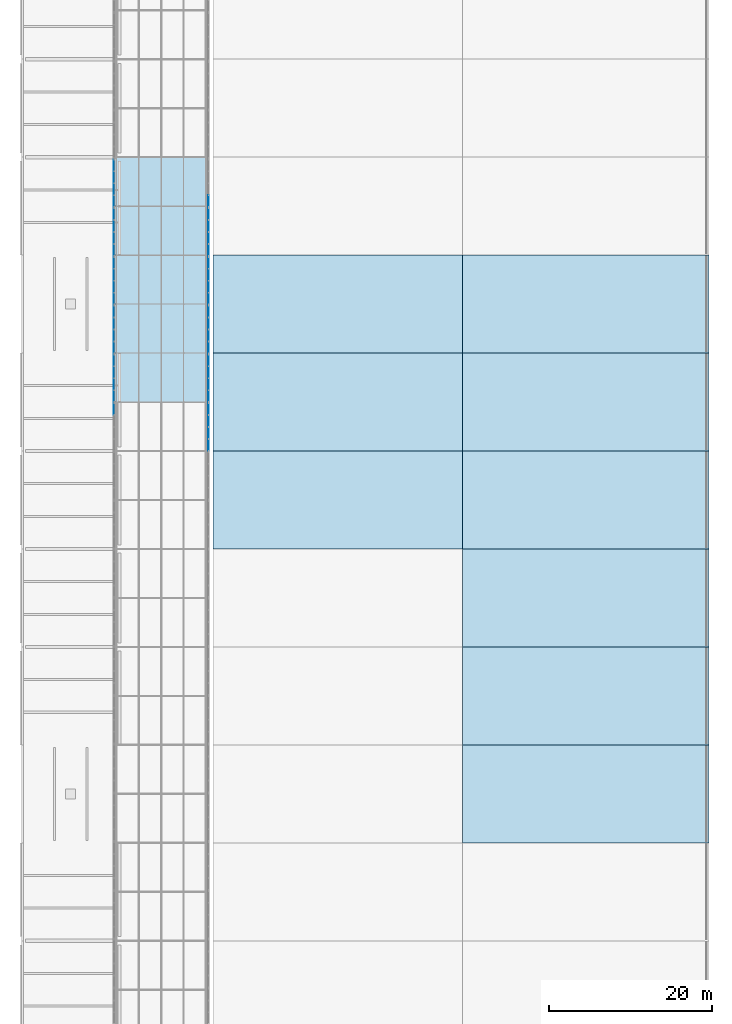
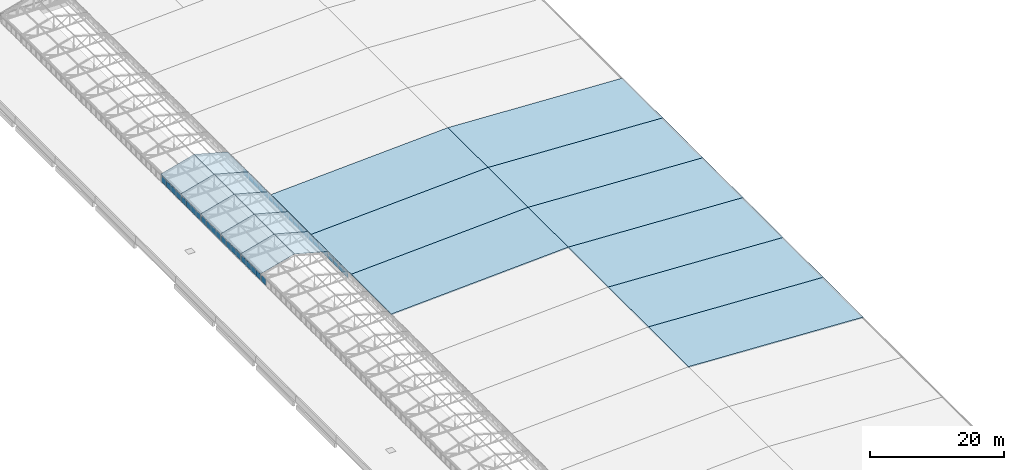
# One storey, part 82 of 94: 42 plates, 19 slabs, 12 elements without a shape of their own.
"""IFC4 building model written with IfcOpenShell, lengths in metres."""

from ifc_helpers import new_model, si_unit, direction, frame, origin, origin_2d, place, context, subcontext, project, spatial, polyline, rectangle, outline, extrude, material, layer, layer_set, type_object, element, aggregate, save


model = new_model("IFC4")

# Units and contexts
model_context = context("Model", 3, precision=1e-05, world=origin(), true_north=direction((0.0, 1.0)))
body_context = subcontext(model_context, "Body", "Model", "MODEL_VIEW")
ifc_project = project(units=[si_unit("LENGTHUNIT", "METRE"), si_unit("AREAUNIT", "SQUARE_METRE"), si_unit("VOLUMEUNIT", "CUBIC_METRE"), si_unit("PLANEANGLEUNIT", "RADIAN"), si_unit("MASSUNIT", "GRAM", prefix="KILO")], contexts=[model_context])

# Site, building, storey
site_placement = place(None, origin())
site = spatial("IfcSite", under=ifc_project, at=site_placement, CompositionType="ELEMENT")
building_placement = place(site_placement, origin())
building = spatial("IfcBuilding", under=site, at=building_placement, Name="Lilac Gate Convention Centre", CompositionType="ELEMENT")
storey_placement = place(building_placement, frame((0.0, 0.0, 21.0)))
storey = spatial("IfcBuildingStorey", under=building, at=storey_placement, Name="L04", CompositionType="ELEMENT", Elevation=21.0)

# Curtain wall, plate
ifc_material_1 = material(Name="Aluminium framed double glazing", Category="aluminium")
ifc_layer_1 = layer(ifc_material_1, 0.199951171875)
ifc_layer_set_1 = layer_set([ifc_layer_1], Name="Aluminium framed double glazing")
curtain_wall_type = type_object("IfcCurtainWallType", Name="Unitised curtain wall 1500", PredefinedType="NOTDEFINED", material=ifc_layer_set_1)
curtain_wall_1_placement = place(storey_placement, origin())
curtain_wall_1 = element("IfcCurtainWall", 1, at=curtain_wall_1_placement, inside=storey, type_object=curtain_wall_type, Name="Lantern clerestory W 19", PredefinedType="NOTDEFINED")
ifc_material_2 = material(Name="Double glazed unit low emissivity")
ifc_layer_2 = layer(ifc_material_2, 0.028076171875)
ifc_layer_set_2 = layer_set([ifc_layer_2], Name="Double glazed unit low emissivity")
plate_type = type_object("IfcPlateType", Name="Curtain wall glass panel 28", PredefinedType="CURTAIN_PANEL", material=ifc_layer_set_2)
plate_1_placement = place(storey_placement, frame((17.300048828125, 143.125732421875, 0.06005859375), z_axis=(0.0, 0.0, 1.0), x_axis=(0.0, 1.0, 0.0)))
plate_1 = element("IfcPlate", 2, at=plate_1_placement, type_object=plate_type, Name="CW panel 4.1", PredefinedType="CURTAIN_PANEL", context=body_context, shape_type="SweptSolid", body=[
    extrude(rectangle(XDim=1.378662109375, YDim=0.028076171875, at=origin_2d()), origin(), (0.0, 0.0, 1.0), 1.152099609375),
])
aggregate(curtain_wall_1, [plate_1])

# Curtain wall, plates
curtain_wall_2_placement = place(storey_placement, origin())
curtain_wall_2 = element("IfcCurtainWall", 3, at=curtain_wall_2_placement, inside=storey, type_object=curtain_wall_type, Name="Lantern clerestory W 20", PredefinedType="NOTDEFINED")
plate_2_placement = place(storey_placement, frame((17.300048828125, 144.724365234375, 0.06005859375), z_axis=(0.0, 0.0, 1.0), x_axis=(0.0, 1.0, 0.0)))
plate_2 = element("IfcPlate", 4, at=plate_2_placement, type_object=plate_type, Name="CW panel 1.1", PredefinedType="CURTAIN_PANEL", context=body_context, shape_type="SweptSolid", body=[
    extrude(rectangle(XDim=1.378662109375, YDim=0.028076171875, at=origin_2d()), origin(), (0.0, 0.0, 1.0), 1.152099609375),
])
plate_3_placement = place(storey_placement, frame((17.300048828125, 146.17822265625, 0.06005859375), z_axis=(0.0, 0.0, 1.0), x_axis=(0.0, 1.0, 0.0)))
plate_3 = element("IfcPlate", 5, at=plate_3_placement, type_object=plate_type, Name="CW panel 2.1", PredefinedType="CURTAIN_PANEL", context=body_context, shape_type="SweptSolid", body=[
    extrude(rectangle(XDim=1.40869140625, YDim=0.028076171875, at=origin_2d()), origin(), (0.0, 0.0, 1.0), 1.152099609375),
])
plate_4_placement = place(storey_placement, frame((17.300048828125, 147.64697265625, 0.06005859375), z_axis=(0.0, 0.0, 1.0), x_axis=(0.0, 1.0, 0.0)))
plate_4 = element("IfcPlate", 6, at=plate_4_placement, type_object=plate_type, Name="CW panel 3.1", PredefinedType="CURTAIN_PANEL", context=body_context, shape_type="SweptSolid", body=[
    extrude(rectangle(XDim=1.40869140625, YDim=0.028076171875, at=origin_2d()), origin(), (0.0, 0.0, 1.0), 1.152099609375),
])
plate_5_placement = place(storey_placement, frame((17.300048828125, 149.100830078125, 0.06005859375), z_axis=(0.0, 0.0, 1.0), x_axis=(0.0, 1.0, 0.0)))
plate_5 = element("IfcPlate", 7, at=plate_5_placement, type_object=plate_type, Name="CW panel 4.1", PredefinedType="CURTAIN_PANEL", context=body_context, shape_type="SweptSolid", body=[
    extrude(rectangle(XDim=1.378662109375, YDim=0.028076171875, at=origin_2d()), origin(), (0.0, 0.0, 1.0), 1.152099609375),
])
aggregate(curtain_wall_2, [plate_2, plate_3, plate_4, plate_5])

curtain_wall_3_placement = place(storey_placement, origin())
curtain_wall_3 = element("IfcCurtainWall", 8, at=curtain_wall_3_placement, inside=storey, type_object=curtain_wall_type, Name="Lantern clerestory W 21", PredefinedType="NOTDEFINED")
plate_6_placement = place(storey_placement, frame((17.300048828125, 150.69921875, 0.06005859375), z_axis=(0.0, 0.0, 1.0), x_axis=(0.0, 1.0, 0.0)))
plate_6 = element("IfcPlate", 9, at=plate_6_placement, type_object=plate_type, Name="CW panel 1.1", PredefinedType="CURTAIN_PANEL", context=body_context, shape_type="SweptSolid", body=[
    extrude(rectangle(XDim=1.378662109375, YDim=0.028076171875, at=origin_2d()), origin(), (0.0, 0.0, 1.0), 1.152099609375),
])
plate_7_placement = place(storey_placement, frame((17.300048828125, 152.153076171875, 0.06005859375), z_axis=(0.0, 0.0, 1.0), x_axis=(0.0, 1.0, 0.0)))
plate_7 = element("IfcPlate", 10, at=plate_7_placement, type_object=plate_type, Name="CW panel 2.1", PredefinedType="CURTAIN_PANEL", context=body_context, shape_type="SweptSolid", body=[
    extrude(rectangle(XDim=1.40869140625, YDim=0.028076171875, at=origin_2d()), origin(), (0.0, 0.0, 1.0), 1.152099609375),
])
plate_8_placement = place(storey_placement, frame((17.300048828125, 153.621826171875, 0.06005859375), z_axis=(0.0, 0.0, 1.0), x_axis=(0.0, 1.0, 0.0)))
plate_8 = element("IfcPlate", 11, at=plate_8_placement, type_object=plate_type, Name="CW panel 3.1", PredefinedType="CURTAIN_PANEL", context=body_context, shape_type="SweptSolid", body=[
    extrude(rectangle(XDim=1.40869140625, YDim=0.028076171875, at=origin_2d()), origin(), (0.0, 0.0, 1.0), 1.152099609375),
])
plate_9_placement = place(storey_placement, frame((17.300048828125, 155.07568359375, 0.06005859375), z_axis=(0.0, 0.0, 1.0), x_axis=(0.0, 1.0, 0.0)))
plate_9 = element("IfcPlate", 12, at=plate_9_placement, type_object=plate_type, Name="CW panel 4.1", PredefinedType="CURTAIN_PANEL", context=body_context, shape_type="SweptSolid", body=[
    extrude(rectangle(XDim=1.378662109375, YDim=0.028076171875, at=origin_2d()), origin(), (0.0, 0.0, 1.0), 1.152099609375),
])
aggregate(curtain_wall_3, [plate_6, plate_7, plate_8, plate_9])

curtain_wall_4_placement = place(storey_placement, origin())
curtain_wall_4 = element("IfcCurtainWall", 13, at=curtain_wall_4_placement, inside=storey, type_object=curtain_wall_type, Name="Lantern clerestory W 22", PredefinedType="NOTDEFINED")
plate_10_placement = place(storey_placement, frame((17.300048828125, 156.67431640625, 0.06005859375), z_axis=(0.0, 0.0, 1.0), x_axis=(0.0, 1.0, 0.0)))
plate_10 = element("IfcPlate", 14, at=plate_10_placement, type_object=plate_type, Name="CW panel 1.1", PredefinedType="CURTAIN_PANEL", context=body_context, shape_type="SweptSolid", body=[
    extrude(rectangle(XDim=1.378662109375, YDim=0.028076171875, at=origin_2d()), origin(), (0.0, 0.0, 1.0), 1.152099609375),
])
plate_11_placement = place(storey_placement, frame((17.300048828125, 158.128173828125, 0.06005859375), z_axis=(0.0, 0.0, 1.0), x_axis=(0.0, 1.0, 0.0)))
plate_11 = element("IfcPlate", 15, at=plate_11_placement, type_object=plate_type, Name="CW panel 2.1", PredefinedType="CURTAIN_PANEL", context=body_context, shape_type="SweptSolid", body=[
    extrude(rectangle(XDim=1.40869140625, YDim=0.028076171875, at=origin_2d()), origin(), (0.0, 0.0, 1.0), 1.152099609375),
])
plate_12_placement = place(storey_placement, frame((17.300048828125, 159.596923828125, 0.06005859375), z_axis=(0.0, 0.0, 1.0), x_axis=(0.0, 1.0, 0.0)))
plate_12 = element("IfcPlate", 16, at=plate_12_placement, type_object=plate_type, Name="CW panel 3.1", PredefinedType="CURTAIN_PANEL", context=body_context, shape_type="SweptSolid", body=[
    extrude(rectangle(XDim=1.40869140625, YDim=0.028076171875, at=origin_2d()), origin(), (0.0, 0.0, 1.0), 1.152099609375),
])
plate_13_placement = place(storey_placement, frame((17.300048828125, 161.05078125, 0.06005859375), z_axis=(0.0, 0.0, 1.0), x_axis=(0.0, 1.0, 0.0)))
plate_13 = element("IfcPlate", 17, at=plate_13_placement, type_object=plate_type, Name="CW panel 4.1", PredefinedType="CURTAIN_PANEL", context=body_context, shape_type="SweptSolid", body=[
    extrude(rectangle(XDim=1.378662109375, YDim=0.028076171875, at=origin_2d()), origin(), (0.0, 0.0, 1.0), 1.152099609375),
])
aggregate(curtain_wall_4, [plate_10, plate_11, plate_12, plate_13])

curtain_wall_5_placement = place(storey_placement, origin())
curtain_wall_5 = element("IfcCurtainWall", 18, at=curtain_wall_5_placement, inside=storey, type_object=curtain_wall_type, Name="Lantern clerestory W 23", PredefinedType="NOTDEFINED")
plate_14_placement = place(storey_placement, frame((17.300048828125, 162.649169921875, 0.06005859375), z_axis=(0.0, 0.0, 1.0), x_axis=(0.0, 1.0, 0.0)))
plate_14 = element("IfcPlate", 19, at=plate_14_placement, type_object=plate_type, Name="CW panel 1.1", PredefinedType="CURTAIN_PANEL", context=body_context, shape_type="SweptSolid", body=[
    extrude(rectangle(XDim=1.378662109375, YDim=0.028076171875, at=origin_2d()), origin(), (0.0, 0.0, 1.0), 1.152099609375),
])
plate_15_placement = place(storey_placement, frame((17.300048828125, 164.10302734375, 0.06005859375), z_axis=(0.0, 0.0, 1.0), x_axis=(0.0, 1.0, 0.0)))
plate_15 = element("IfcPlate", 20, at=plate_15_placement, type_object=plate_type, Name="CW panel 2.1", PredefinedType="CURTAIN_PANEL", context=body_context, shape_type="SweptSolid", body=[
    extrude(rectangle(XDim=1.40869140625, YDim=0.028076171875, at=origin_2d()), origin(), (0.0, 0.0, 1.0), 1.152099609375),
])
plate_16_placement = place(storey_placement, frame((17.300048828125, 165.57177734375, 0.06005859375), z_axis=(0.0, 0.0, 1.0), x_axis=(0.0, 1.0, 0.0)))
plate_16 = element("IfcPlate", 21, at=plate_16_placement, type_object=plate_type, Name="CW panel 3.1", PredefinedType="CURTAIN_PANEL", context=body_context, shape_type="SweptSolid", body=[
    extrude(rectangle(XDim=1.40869140625, YDim=0.028076171875, at=origin_2d()), origin(), (0.0, 0.0, 1.0), 1.152099609375),
])
plate_17_placement = place(storey_placement, frame((17.300048828125, 167.025634765625, 0.06005859375), z_axis=(0.0, 0.0, 1.0), x_axis=(0.0, 1.0, 0.0)))
plate_17 = element("IfcPlate", 22, at=plate_17_placement, type_object=plate_type, Name="CW panel 4.1", PredefinedType="CURTAIN_PANEL", context=body_context, shape_type="SweptSolid", body=[
    extrude(rectangle(XDim=1.378662109375, YDim=0.028076171875, at=origin_2d()), origin(), (0.0, 0.0, 1.0), 1.152099609375),
])
aggregate(curtain_wall_5, [plate_14, plate_15, plate_16, plate_17])

curtain_wall_6_placement = place(storey_placement, origin())
curtain_wall_6 = element("IfcCurtainWall", 23, at=curtain_wall_6_placement, inside=storey, type_object=curtain_wall_type, Name="Lantern clerestory W 24", PredefinedType="NOTDEFINED")
plate_18_placement = place(storey_placement, frame((17.300048828125, 168.624267578125, 0.06005859375), z_axis=(0.0, 0.0, 1.0), x_axis=(0.0, 1.0, 0.0)))
plate_18 = element("IfcPlate", 24, at=plate_18_placement, type_object=plate_type, Name="CW panel 1.1", PredefinedType="CURTAIN_PANEL", context=body_context, shape_type="SweptSolid", body=[
    extrude(rectangle(XDim=1.378662109375, YDim=0.028076171875, at=origin_2d()), origin(), (0.0, 0.0, 1.0), 1.152099609375),
])
plate_19_placement = place(storey_placement, frame((17.300048828125, 170.078125, 0.06005859375), z_axis=(0.0, 0.0, 1.0), x_axis=(0.0, 1.0, 0.0)))
plate_19 = element("IfcPlate", 25, at=plate_19_placement, type_object=plate_type, Name="CW panel 2.1", PredefinedType="CURTAIN_PANEL", context=body_context, shape_type="SweptSolid", body=[
    extrude(rectangle(XDim=1.40869140625, YDim=0.028076171875, at=origin_2d()), origin(), (0.0, 0.0, 1.0), 1.152099609375),
])
plate_20_placement = place(storey_placement, frame((17.300048828125, 171.546875, 0.06005859375), z_axis=(0.0, 0.0, 1.0), x_axis=(0.0, 1.0, 0.0)))
plate_20 = element("IfcPlate", 26, at=plate_20_placement, type_object=plate_type, Name="CW panel 3.1", PredefinedType="CURTAIN_PANEL", context=body_context, shape_type="SweptSolid", body=[
    extrude(rectangle(XDim=1.40869140625, YDim=0.028076171875, at=origin_2d()), origin(), (0.0, 0.0, 1.0), 1.152099609375),
])
plate_21_placement = place(storey_placement, frame((17.300048828125, 173.000732421875, 0.06005859375), z_axis=(0.0, 0.0, 1.0), x_axis=(0.0, 1.0, 0.0)))
plate_21 = element("IfcPlate", 27, at=plate_21_placement, type_object=plate_type, Name="CW panel 4.1", PredefinedType="CURTAIN_PANEL", context=body_context, shape_type="SweptSolid", body=[
    extrude(rectangle(XDim=1.378662109375, YDim=0.028076171875, at=origin_2d()), origin(), (0.0, 0.0, 1.0), 1.152099609375),
])
aggregate(curtain_wall_6, [plate_18, plate_19, plate_20, plate_21])

curtain_wall_7_placement = place(storey_placement, origin())
curtain_wall_7 = element("IfcCurtainWall", 28, at=curtain_wall_7_placement, inside=storey, type_object=curtain_wall_type, Name="Lantern clerestory E 19", PredefinedType="NOTDEFINED")
plate_22_placement = place(storey_placement, frame((28.89990234375, 138.749267578125, 0.06005859375), z_axis=(0.0, 0.0, 1.0), x_axis=(0.0, 1.0, 0.0)))
plate_22 = element("IfcPlate", 29, at=plate_22_placement, type_object=plate_type, Name="CW panel 1.1", PredefinedType="CURTAIN_PANEL", context=body_context, shape_type="SweptSolid", body=[
    extrude(rectangle(XDim=1.378662109375, YDim=0.028076171875, at=origin_2d()), origin(), (0.0, 0.0, 1.0), 1.152099609375),
])
plate_23_placement = place(storey_placement, frame((28.89990234375, 140.203125, 0.06005859375), z_axis=(0.0, 0.0, 1.0), x_axis=(0.0, 1.0, 0.0)))
plate_23 = element("IfcPlate", 30, at=plate_23_placement, type_object=plate_type, Name="CW panel 2.1", PredefinedType="CURTAIN_PANEL", context=body_context, shape_type="SweptSolid", body=[
    extrude(rectangle(XDim=1.40869140625, YDim=0.028076171875, at=origin_2d()), origin(), (0.0, 0.0, 1.0), 1.152099609375),
])
plate_24_placement = place(storey_placement, frame((28.89990234375, 141.671875, 0.06005859375), z_axis=(0.0, 0.0, 1.0), x_axis=(0.0, 1.0, 0.0)))
plate_24 = element("IfcPlate", 31, at=plate_24_placement, type_object=plate_type, Name="CW panel 3.1", PredefinedType="CURTAIN_PANEL", context=body_context, shape_type="SweptSolid", body=[
    extrude(rectangle(XDim=1.40869140625, YDim=0.028076171875, at=origin_2d()), origin(), (0.0, 0.0, 1.0), 1.152099609375),
])
plate_25_placement = place(storey_placement, frame((28.89990234375, 143.125732421875, 0.06005859375), z_axis=(0.0, 0.0, 1.0), x_axis=(0.0, 1.0, 0.0)))
plate_25 = element("IfcPlate", 32, at=plate_25_placement, type_object=plate_type, Name="CW panel 4.1", PredefinedType="CURTAIN_PANEL", context=body_context, shape_type="SweptSolid", body=[
    extrude(rectangle(XDim=1.378662109375, YDim=0.028076171875, at=origin_2d()), origin(), (0.0, 0.0, 1.0), 1.152099609375),
])
aggregate(curtain_wall_7, [plate_22, plate_23, plate_24, plate_25])

curtain_wall_8_placement = place(storey_placement, origin())
curtain_wall_8 = element("IfcCurtainWall", 33, at=curtain_wall_8_placement, inside=storey, type_object=curtain_wall_type, Name="Lantern clerestory E 20", PredefinedType="NOTDEFINED")
plate_26_placement = place(storey_placement, frame((28.89990234375, 144.724365234375, 0.06005859375), z_axis=(0.0, 0.0, 1.0), x_axis=(0.0, 1.0, 0.0)))
plate_26 = element("IfcPlate", 34, at=plate_26_placement, type_object=plate_type, Name="CW panel 1.1", PredefinedType="CURTAIN_PANEL", context=body_context, shape_type="SweptSolid", body=[
    extrude(rectangle(XDim=1.378662109375, YDim=0.028076171875, at=origin_2d()), origin(), (0.0, 0.0, 1.0), 1.152099609375),
])
plate_27_placement = place(storey_placement, frame((28.89990234375, 146.17822265625, 0.06005859375), z_axis=(0.0, 0.0, 1.0), x_axis=(0.0, 1.0, 0.0)))
plate_27 = element("IfcPlate", 35, at=plate_27_placement, type_object=plate_type, Name="CW panel 2.1", PredefinedType="CURTAIN_PANEL", context=body_context, shape_type="SweptSolid", body=[
    extrude(rectangle(XDim=1.40869140625, YDim=0.028076171875, at=origin_2d()), origin(), (0.0, 0.0, 1.0), 1.152099609375),
])
plate_28_placement = place(storey_placement, frame((28.89990234375, 147.64697265625, 0.06005859375), z_axis=(0.0, 0.0, 1.0), x_axis=(0.0, 1.0, 0.0)))
plate_28 = element("IfcPlate", 36, at=plate_28_placement, type_object=plate_type, Name="CW panel 3.1", PredefinedType="CURTAIN_PANEL", context=body_context, shape_type="SweptSolid", body=[
    extrude(rectangle(XDim=1.40869140625, YDim=0.028076171875, at=origin_2d()), origin(), (0.0, 0.0, 1.0), 1.152099609375),
])
plate_29_placement = place(storey_placement, frame((28.89990234375, 149.100830078125, 0.06005859375), z_axis=(0.0, 0.0, 1.0), x_axis=(0.0, 1.0, 0.0)))
plate_29 = element("IfcPlate", 37, at=plate_29_placement, type_object=plate_type, Name="CW panel 4.1", PredefinedType="CURTAIN_PANEL", context=body_context, shape_type="SweptSolid", body=[
    extrude(rectangle(XDim=1.378662109375, YDim=0.028076171875, at=origin_2d()), origin(), (0.0, 0.0, 1.0), 1.152099609375),
])
aggregate(curtain_wall_8, [plate_26, plate_27, plate_28, plate_29])

curtain_wall_9_placement = place(storey_placement, origin())
curtain_wall_9 = element("IfcCurtainWall", 38, at=curtain_wall_9_placement, inside=storey, type_object=curtain_wall_type, Name="Lantern clerestory E 21", PredefinedType="NOTDEFINED")
plate_30_placement = place(storey_placement, frame((28.89990234375, 150.69921875, 0.06005859375), z_axis=(0.0, 0.0, 1.0), x_axis=(0.0, 1.0, 0.0)))
plate_30 = element("IfcPlate", 39, at=plate_30_placement, type_object=plate_type, Name="CW panel 1.1", PredefinedType="CURTAIN_PANEL", context=body_context, shape_type="SweptSolid", body=[
    extrude(rectangle(XDim=1.378662109375, YDim=0.028076171875, at=origin_2d()), origin(), (0.0, 0.0, 1.0), 1.152099609375),
])
plate_31_placement = place(storey_placement, frame((28.89990234375, 152.153076171875, 0.06005859375), z_axis=(0.0, 0.0, 1.0), x_axis=(0.0, 1.0, 0.0)))
plate_31 = element("IfcPlate", 40, at=plate_31_placement, type_object=plate_type, Name="CW panel 2.1", PredefinedType="CURTAIN_PANEL", context=body_context, shape_type="SweptSolid", body=[
    extrude(rectangle(XDim=1.40869140625, YDim=0.028076171875, at=origin_2d()), origin(), (0.0, 0.0, 1.0), 1.152099609375),
])
plate_32_placement = place(storey_placement, frame((28.89990234375, 153.621826171875, 0.06005859375), z_axis=(0.0, 0.0, 1.0), x_axis=(0.0, 1.0, 0.0)))
plate_32 = element("IfcPlate", 41, at=plate_32_placement, type_object=plate_type, Name="CW panel 3.1", PredefinedType="CURTAIN_PANEL", context=body_context, shape_type="SweptSolid", body=[
    extrude(rectangle(XDim=1.40869140625, YDim=0.028076171875, at=origin_2d()), origin(), (0.0, 0.0, 1.0), 1.152099609375),
])
plate_33_placement = place(storey_placement, frame((28.89990234375, 155.07568359375, 0.06005859375), z_axis=(0.0, 0.0, 1.0), x_axis=(0.0, 1.0, 0.0)))
plate_33 = element("IfcPlate", 42, at=plate_33_placement, type_object=plate_type, Name="CW panel 4.1", PredefinedType="CURTAIN_PANEL", context=body_context, shape_type="SweptSolid", body=[
    extrude(rectangle(XDim=1.378662109375, YDim=0.028076171875, at=origin_2d()), origin(), (0.0, 0.0, 1.0), 1.152099609375),
])
aggregate(curtain_wall_9, [plate_30, plate_31, plate_32, plate_33])

curtain_wall_10_placement = place(storey_placement, origin())
curtain_wall_10 = element("IfcCurtainWall", 43, at=curtain_wall_10_placement, inside=storey, type_object=curtain_wall_type, Name="Lantern clerestory E 22", PredefinedType="NOTDEFINED")
plate_34_placement = place(storey_placement, frame((28.89990234375, 156.67431640625, 0.06005859375), z_axis=(0.0, 0.0, 1.0), x_axis=(0.0, 1.0, 0.0)))
plate_34 = element("IfcPlate", 44, at=plate_34_placement, type_object=plate_type, Name="CW panel 1.1", PredefinedType="CURTAIN_PANEL", context=body_context, shape_type="SweptSolid", body=[
    extrude(rectangle(XDim=1.378662109375, YDim=0.028076171875, at=origin_2d()), origin(), (0.0, 0.0, 1.0), 1.152099609375),
])
plate_35_placement = place(storey_placement, frame((28.89990234375, 158.128173828125, 0.06005859375), z_axis=(0.0, 0.0, 1.0), x_axis=(0.0, 1.0, 0.0)))
plate_35 = element("IfcPlate", 45, at=plate_35_placement, type_object=plate_type, Name="CW panel 2.1", PredefinedType="CURTAIN_PANEL", context=body_context, shape_type="SweptSolid", body=[
    extrude(rectangle(XDim=1.40869140625, YDim=0.028076171875, at=origin_2d()), origin(), (0.0, 0.0, 1.0), 1.152099609375),
])
plate_36_placement = place(storey_placement, frame((28.89990234375, 159.596923828125, 0.06005859375), z_axis=(0.0, 0.0, 1.0), x_axis=(0.0, 1.0, 0.0)))
plate_36 = element("IfcPlate", 46, at=plate_36_placement, type_object=plate_type, Name="CW panel 3.1", PredefinedType="CURTAIN_PANEL", context=body_context, shape_type="SweptSolid", body=[
    extrude(rectangle(XDim=1.40869140625, YDim=0.028076171875, at=origin_2d()), origin(), (0.0, 0.0, 1.0), 1.152099609375),
])
plate_37_placement = place(storey_placement, frame((28.89990234375, 161.05078125, 0.06005859375), z_axis=(0.0, 0.0, 1.0), x_axis=(0.0, 1.0, 0.0)))
plate_37 = element("IfcPlate", 47, at=plate_37_placement, type_object=plate_type, Name="CW panel 4.1", PredefinedType="CURTAIN_PANEL", context=body_context, shape_type="SweptSolid", body=[
    extrude(rectangle(XDim=1.378662109375, YDim=0.028076171875, at=origin_2d()), origin(), (0.0, 0.0, 1.0), 1.152099609375),
])
aggregate(curtain_wall_10, [plate_34, plate_35, plate_36, plate_37])

curtain_wall_11_placement = place(storey_placement, origin())
curtain_wall_11 = element("IfcCurtainWall", 48, at=curtain_wall_11_placement, inside=storey, type_object=curtain_wall_type, Name="Lantern clerestory E 23", PredefinedType="NOTDEFINED")
plate_38_placement = place(storey_placement, frame((28.89990234375, 162.649169921875, 0.06005859375), z_axis=(0.0, 0.0, 1.0), x_axis=(0.0, 1.0, 0.0)))
plate_38 = element("IfcPlate", 49, at=plate_38_placement, type_object=plate_type, Name="CW panel 1.1", PredefinedType="CURTAIN_PANEL", context=body_context, shape_type="SweptSolid", body=[
    extrude(rectangle(XDim=1.378662109375, YDim=0.028076171875, at=origin_2d()), origin(), (0.0, 0.0, 1.0), 1.152099609375),
])
plate_39_placement = place(storey_placement, frame((28.89990234375, 164.10302734375, 0.06005859375), z_axis=(0.0, 0.0, 1.0), x_axis=(0.0, 1.0, 0.0)))
plate_39 = element("IfcPlate", 50, at=plate_39_placement, type_object=plate_type, Name="CW panel 2.1", PredefinedType="CURTAIN_PANEL", context=body_context, shape_type="SweptSolid", body=[
    extrude(rectangle(XDim=1.40869140625, YDim=0.028076171875, at=origin_2d()), origin(), (0.0, 0.0, 1.0), 1.152099609375),
])
plate_40_placement = place(storey_placement, frame((28.89990234375, 165.57177734375, 0.06005859375), z_axis=(0.0, 0.0, 1.0), x_axis=(0.0, 1.0, 0.0)))
plate_40 = element("IfcPlate", 51, at=plate_40_placement, type_object=plate_type, Name="CW panel 3.1", PredefinedType="CURTAIN_PANEL", context=body_context, shape_type="SweptSolid", body=[
    extrude(rectangle(XDim=1.40869140625, YDim=0.028076171875, at=origin_2d()), origin(), (0.0, 0.0, 1.0), 1.152099609375),
])
plate_41_placement = place(storey_placement, frame((28.89990234375, 167.025634765625, 0.06005859375), z_axis=(0.0, 0.0, 1.0), x_axis=(0.0, 1.0, 0.0)))
plate_41 = element("IfcPlate", 52, at=plate_41_placement, type_object=plate_type, Name="CW panel 4.1", PredefinedType="CURTAIN_PANEL", context=body_context, shape_type="SweptSolid", body=[
    extrude(rectangle(XDim=1.378662109375, YDim=0.028076171875, at=origin_2d()), origin(), (0.0, 0.0, 1.0), 1.152099609375),
])
aggregate(curtain_wall_11, [plate_38, plate_39, plate_40, plate_41])

# Curtain wall, plate
curtain_wall_12_placement = place(storey_placement, origin())
curtain_wall_12 = element("IfcCurtainWall", 53, at=curtain_wall_12_placement, inside=storey, type_object=curtain_wall_type, Name="Lantern clerestory E 24", PredefinedType="NOTDEFINED")
plate_42_placement = place(storey_placement, frame((28.89990234375, 168.624267578125, 0.06005859375), z_axis=(0.0, 0.0, 1.0), x_axis=(0.0, 1.0, 0.0)))
plate_42 = element("IfcPlate", 54, at=plate_42_placement, type_object=plate_type, Name="CW panel 1.1", PredefinedType="CURTAIN_PANEL", context=body_context, shape_type="SweptSolid", body=[
    extrude(rectangle(XDim=1.378662109375, YDim=0.028076171875, at=origin_2d()), origin(), (0.0, 0.0, 1.0), 1.152099609375),
])
aggregate(curtain_wall_12, [plate_42])

# Slabs
ifc_material_3 = material(Name="Low emissivity safety glass, bonded interlayer", Category="glass")
ifc_layer_3 = layer(ifc_material_3, 0.0400390625)
ifc_layer_set_3 = layer_set([ifc_layer_3], Name="Low emissivity safety glass, bonded interlayer")
slab_type_1 = type_object("IfcSlabType", Name="Lantern glazing panel 40", PredefinedType="ROOF", material=ifc_layer_set_3)
slab_1_placement = place(storey_placement, frame((17.300048828125, 144.0, 1.313720703125), z_axis=(-0.263110533367, 0.0, 0.964765695509), x_axis=(0.964765695509, 0.0, 0.263110533367)))
element("IfcSlab", 55, at=slab_1_placement, inside=storey, type_object=slab_type_1, Name="Lantern glazing W 20", PredefinedType="ROOF", context=body_context, shape_type="SweptSolid", body=[
    extrude(outline(polyline([(0.0, 0.0), (6.011872991673984, 0.0), (6.011872991673984, 5.999999999999999), (0.0, 5.999999999999999), (0.0, 0.0)])), origin(), (0.0, 0.0, -1.0), 0.0400390625),
])
slab_2_placement = place(storey_placement, frame((23.10009765625, 144.0, 2.8955078125), z_axis=(0.263120842134, 0.0, 0.964762884047), x_axis=(0.964762884047, 0.0, -0.263120842134)))
element("IfcSlab", 56, at=slab_2_placement, inside=storey, type_object=slab_type_1, Name="Lantern glazing E 20", PredefinedType="ROOF", context=body_context, shape_type="SweptSolid", body=[
    extrude(outline(polyline([(0.0, 0.0), (6.011637453517294, 0.0), (6.011637453517294, 6.0), (0.0, 6.0), (0.0, 0.0)])), origin(), (0.0, 0.0, -1.0), 0.0400390625),
])
slab_3_placement = place(storey_placement, frame((17.300048828125, 150.0, 1.313720703125), z_axis=(-0.263110533367, 0.0, 0.964765695509), x_axis=(0.964765695509, 0.0, 0.263110533367)))
element("IfcSlab", 57, at=slab_3_placement, inside=storey, type_object=slab_type_1, Name="Lantern glazing W 21", PredefinedType="ROOF", context=body_context, shape_type="SweptSolid", body=[
    extrude(outline(polyline([(0.0, 0.0), (6.011872991673984, 0.0), (6.011872991673984, 5.999999999999999), (0.0, 5.999999999999999), (0.0, 0.0)])), origin(), (0.0, 0.0, -1.0), 0.0400390625),
])
slab_4_placement = place(storey_placement, frame((23.10009765625, 150.0, 2.8955078125), z_axis=(0.263120842134, 0.0, 0.964762884047), x_axis=(0.964762884047, 0.0, -0.263120842134)))
element("IfcSlab", 58, at=slab_4_placement, inside=storey, type_object=slab_type_1, Name="Lantern glazing E 21", PredefinedType="ROOF", context=body_context, shape_type="SweptSolid", body=[
    extrude(outline(polyline([(0.0, 0.0), (6.011637453517294, 0.0), (6.011637453517294, 6.0), (0.0, 6.0), (0.0, 0.0)])), origin(), (0.0, 0.0, -1.0), 0.0400390625),
])
slab_5_placement = place(storey_placement, frame((17.300048828125, 156.0, 1.313720703125), z_axis=(-0.263110533367, 0.0, 0.964765695509), x_axis=(0.964765695509, 0.0, 0.263110533367)))
element("IfcSlab", 59, at=slab_5_placement, inside=storey, type_object=slab_type_1, Name="Lantern glazing W 22", PredefinedType="ROOF", context=body_context, shape_type="SweptSolid", body=[
    extrude(outline(polyline([(0.0, 0.0), (6.011872991673984, 0.0), (6.011872991673984, 5.999999999999999), (0.0, 5.999999999999999), (0.0, 0.0)])), origin(), (0.0, 0.0, -1.0), 0.0400390625),
])
slab_6_placement = place(storey_placement, frame((23.10009765625, 156.0, 2.8955078125), z_axis=(0.263120842134, 0.0, 0.964762884047), x_axis=(0.964762884047, 0.0, -0.263120842134)))
element("IfcSlab", 60, at=slab_6_placement, inside=storey, type_object=slab_type_1, Name="Lantern glazing E 22", PredefinedType="ROOF", context=body_context, shape_type="SweptSolid", body=[
    extrude(outline(polyline([(0.0, 0.0), (6.011637453517294, 0.0), (6.011637453517294, 6.0), (0.0, 6.0), (0.0, 0.0)])), origin(), (0.0, 0.0, -1.0), 0.0400390625),
])
slab_7_placement = place(storey_placement, frame((17.300048828125, 162.0, 1.313720703125), z_axis=(-0.263110533367, 0.0, 0.964765695509), x_axis=(0.964765695509, 0.0, 0.263110533367)))
element("IfcSlab", 61, at=slab_7_placement, inside=storey, type_object=slab_type_1, Name="Lantern glazing W 23", PredefinedType="ROOF", context=body_context, shape_type="SweptSolid", body=[
    extrude(outline(polyline([(0.0, 0.0), (6.011872991673984, 0.0), (6.011872991673984, 5.999999999999999), (0.0, 5.999999999999999), (0.0, 0.0)])), origin(), (0.0, 0.0, -1.0), 0.0400390625),
])
slab_8_placement = place(storey_placement, frame((23.10009765625, 162.0, 2.8955078125), z_axis=(0.263120842134, 0.0, 0.964762884047), x_axis=(0.964762884047, 0.0, -0.263120842134)))
element("IfcSlab", 62, at=slab_8_placement, inside=storey, type_object=slab_type_1, Name="Lantern glazing E 23", PredefinedType="ROOF", context=body_context, shape_type="SweptSolid", body=[
    extrude(outline(polyline([(0.0, 0.0), (6.011637453517294, 0.0), (6.011637453517294, 6.0), (0.0, 6.0), (0.0, 0.0)])), origin(), (0.0, 0.0, -1.0), 0.0400390625),
])
slab_9_placement = place(storey_placement, frame((17.300048828125, 168.0, 1.313720703125), z_axis=(-0.263110533367, 0.0, 0.964765695509), x_axis=(0.964765695509, 0.0, 0.263110533367)))
element("IfcSlab", 63, at=slab_9_placement, inside=storey, type_object=slab_type_1, Name="Lantern glazing W 24", PredefinedType="ROOF", context=body_context, shape_type="SweptSolid", body=[
    extrude(outline(polyline([(0.0, 0.0), (6.011872991673984, 0.0), (6.011872991673984, 5.999999999999999), (0.0, 5.999999999999999), (0.0, 0.0)])), origin(), (0.0, 0.0, -1.0), 0.0400390625),
])
slab_10_placement = place(storey_placement, frame((23.10009765625, 168.0, 2.8955078125), z_axis=(0.263120842134, 0.0, 0.964762884047), x_axis=(0.964762884047, 0.0, -0.263120842134)))
element("IfcSlab", 64, at=slab_10_placement, inside=storey, type_object=slab_type_1, Name="Lantern glazing E 24", PredefinedType="ROOF", context=body_context, shape_type="SweptSolid", body=[
    extrude(outline(polyline([(0.0, 0.0), (6.011637453517294, 0.0), (6.011637453517294, 6.0), (0.0, 6.0), (0.0, 0.0)])), origin(), (0.0, 0.0, -1.0), 0.0400390625),
])
ifc_material_4 = material(Name="Galvanised steel liner sheet", Category="steel")
ifc_layer_4 = layer(ifc_material_4, 0.001953125)
ifc_material_5 = material(Name="Mineral wool insulation")
ifc_layer_5 = layer(ifc_material_5, 0.196044921875)
ifc_material_6 = material(Name="Grey coated steel sheet", Category="steel")
ifc_layer_6 = layer(ifc_material_6, 0.001953125)
ifc_layer_set_4 = layer_set([ifc_layer_4, ifc_layer_5, ifc_layer_6], Name="Galvanised steel liner sheet, Mineral wool insulation, Grey coated steel sheet")
slab_type_2 = type_object("IfcSlabType", Name="Roof cover panel grey 200", PredefinedType="ROOF", material=ifc_layer_set_4)
for number, where, z_axis, x_axis, name in (
    (65, (60.0, 90.0, 2.12548828125), (0.04993801964, 0.0, 0.998752318743), (0.998752318743, 0.0, -0.04993801964), "Hall roof panel 6.2"),
    (66, (60.0, 102.0, 2.12548828125), (0.04993801964, 0.0, 0.998752318743), (0.998752318743, 0.0, -0.04993801964), "Hall roof panel 7.2"),
):
    element("IfcSlab", number, at=place(storey_placement, frame(where, z_axis=z_axis, x_axis=x_axis)), inside=storey, type_object=slab_type_2, Name=name, PredefinedType="ROOF", context=body_context, shape_type="SweptSolid", body=[
        extrude(outline(polyline([(0.0, 0.0), (30.237678156166638, 0.0), (30.237678156166638, 12.0), (0.0, 12.0), (0.0, 0.0)])), origin(), (0.0, 0.0, -1.0), 0.199951171875),
    ])
ifc_layer_7 = layer(ifc_material_4, 0.001953125)
ifc_layer_8 = layer(ifc_material_5, 0.196044921875)
ifc_material_7 = material(Name="Terracotta coated steel sheet", Category="masonry")
ifc_layer_9 = layer(ifc_material_7, 0.001953125)
ifc_layer_set_5 = layer_set([ifc_layer_7, ifc_layer_8, ifc_layer_9], Name="Galvanised steel liner sheet, Mineral wool insulation, Terracotta coated steel sheet")
slab_type_3 = type_object("IfcSlabType", Name="Roof cover panel terracotta 200", PredefinedType="ROOF", material=ifc_layer_set_5)
slab_11_placement = place(storey_placement, frame((60.0, 114.0, 2.12548828125), z_axis=(0.04993801964, 0.0, 0.998752318743), x_axis=(0.998752318743, 0.0, -0.04993801964)))
element("IfcSlab", 67, at=slab_11_placement, inside=storey, type_object=slab_type_3, Name="Hall roof panel 8.2", PredefinedType="ROOF", context=body_context, shape_type="SweptSolid", body=[
    extrude(outline(polyline([(0.0, 0.0), (30.237678156166638, 0.0), (30.237678156166638, 12.0), (0.0, 12.0), (0.0, 0.0)])), origin(), (0.0, 0.0, -1.0), 0.199951171875),
])
slab_12_placement = place(storey_placement, frame((29.449951171875, 126.0, 0.597900390625), z_axis=(-0.049940403511, 0.0, 0.998752199546), x_axis=(0.998752199546, 0.0, 0.049940403511)))
element("IfcSlab", 68, at=slab_12_placement, inside=storey, type_object=slab_type_3, Name="Hall roof panel 9.1", PredefinedType="ROOF", context=body_context, shape_type="SweptSolid", body=[
    extrude(outline(polyline([(0.0, 0.0), (30.588216818971414, 0.0), (30.588216818971414, 11.999999999999998), (0.0, 11.999999999999998), (0.0, 0.0)])), origin(), (0.0, 0.0, -1.0), 0.199951171875),
])
slab_13_placement = place(storey_placement, frame((60.0, 126.0, 2.12548828125), z_axis=(0.04993801964, 0.0, 0.998752318743), x_axis=(0.998752318743, 0.0, -0.04993801964)))
element("IfcSlab", 69, at=slab_13_placement, inside=storey, type_object=slab_type_3, Name="Hall roof panel 9.2", PredefinedType="ROOF", context=body_context, shape_type="SweptSolid", body=[
    extrude(outline(polyline([(0.0, 0.0), (30.237678156166638, 0.0), (30.237678156166638, 12.0), (0.0, 12.0), (0.0, 0.0)])), origin(), (0.0, 0.0, -1.0), 0.199951171875),
])
slab_14_placement = place(storey_placement, frame((29.449951171875, 138.0, 0.597900390625), z_axis=(-0.049940403511, 0.0, 0.998752199546), x_axis=(0.998752199546, 0.0, 0.049940403511)))
element("IfcSlab", 70, at=slab_14_placement, inside=storey, type_object=slab_type_3, Name="Hall roof panel 10.1", PredefinedType="ROOF", context=body_context, shape_type="SweptSolid", body=[
    extrude(outline(polyline([(0.0, 0.0), (30.588216818971414, 0.0), (30.588216818971414, 11.999999999999998), (0.0, 11.999999999999998), (0.0, 0.0)])), origin(), (0.0, 0.0, -1.0), 0.199951171875),
])
slab_15_placement = place(storey_placement, frame((60.0, 138.0, 2.12548828125), z_axis=(0.04993801964, 0.0, 0.998752318743), x_axis=(0.998752318743, 0.0, -0.04993801964)))
element("IfcSlab", 71, at=slab_15_placement, inside=storey, type_object=slab_type_3, Name="Hall roof panel 10.2", PredefinedType="ROOF", context=body_context, shape_type="SweptSolid", body=[
    extrude(outline(polyline([(0.0, 0.0), (30.237678156166638, 0.0), (30.237678156166638, 12.0), (0.0, 12.0), (0.0, 0.0)])), origin(), (0.0, 0.0, -1.0), 0.199951171875),
])
slab_16_placement = place(storey_placement, frame((29.449951171875, 150.0, 0.597900390625), z_axis=(-0.049940403511, 0.0, 0.998752199546), x_axis=(0.998752199546, 0.0, 0.049940403511)))
element("IfcSlab", 72, at=slab_16_placement, inside=storey, type_object=slab_type_3, Name="Hall roof panel 11.1", PredefinedType="ROOF", context=body_context, shape_type="SweptSolid", body=[
    extrude(outline(polyline([(0.0, 0.0), (30.588216818971414, 0.0), (30.588216818971414, 11.999999999999998), (0.0, 11.999999999999998), (0.0, 0.0)])), origin(), (0.0, 0.0, -1.0), 0.199951171875),
])
slab_17_placement = place(storey_placement, frame((60.0, 150.0, 2.12548828125), z_axis=(0.04993801964, 0.0, 0.998752318743), x_axis=(0.998752318743, 0.0, -0.04993801964)))
element("IfcSlab", 73, at=slab_17_placement, inside=storey, type_object=slab_type_3, Name="Hall roof panel 11.2", PredefinedType="ROOF", context=body_context, shape_type="SweptSolid", body=[
    extrude(outline(polyline([(0.0, 0.0), (30.237678156166638, 0.0), (30.237678156166638, 12.0), (0.0, 12.0), (0.0, 0.0)])), origin(), (0.0, 0.0, -1.0), 0.199951171875),
])

save(model, "model.ifc")
